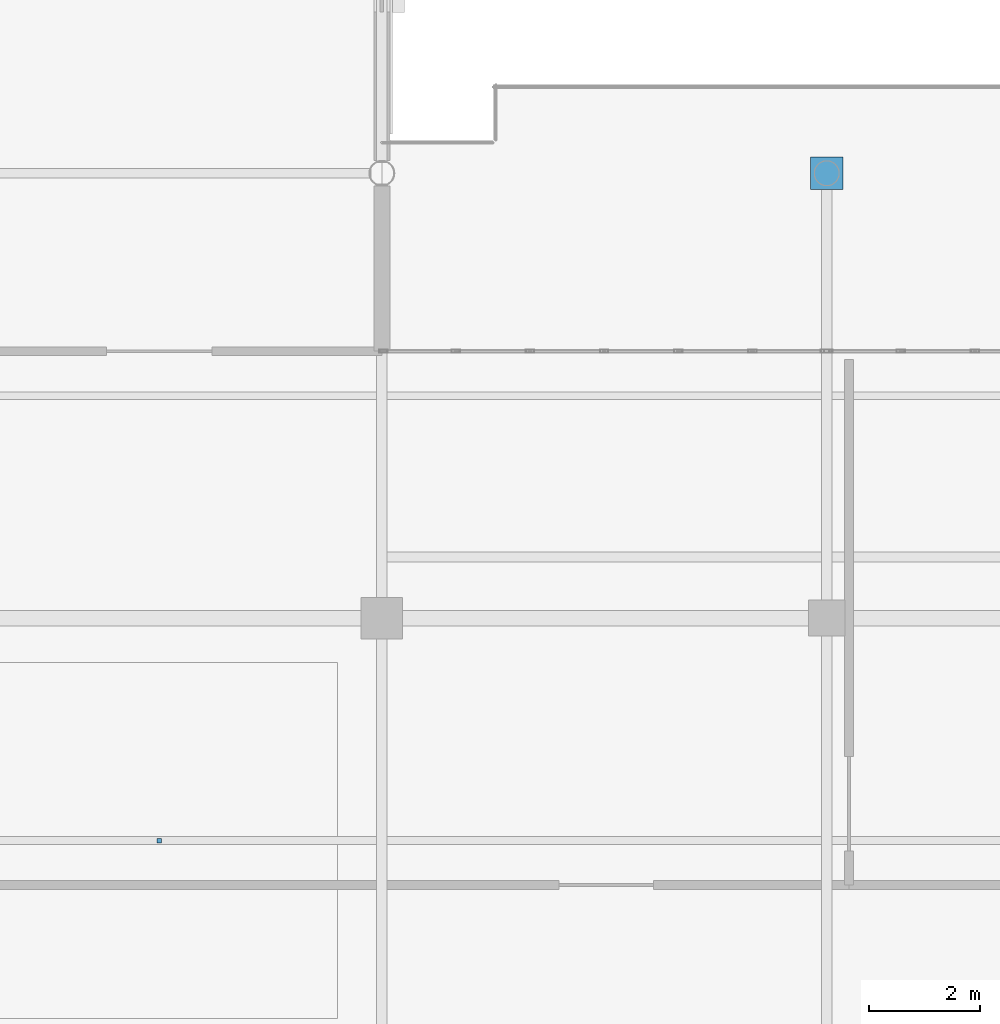
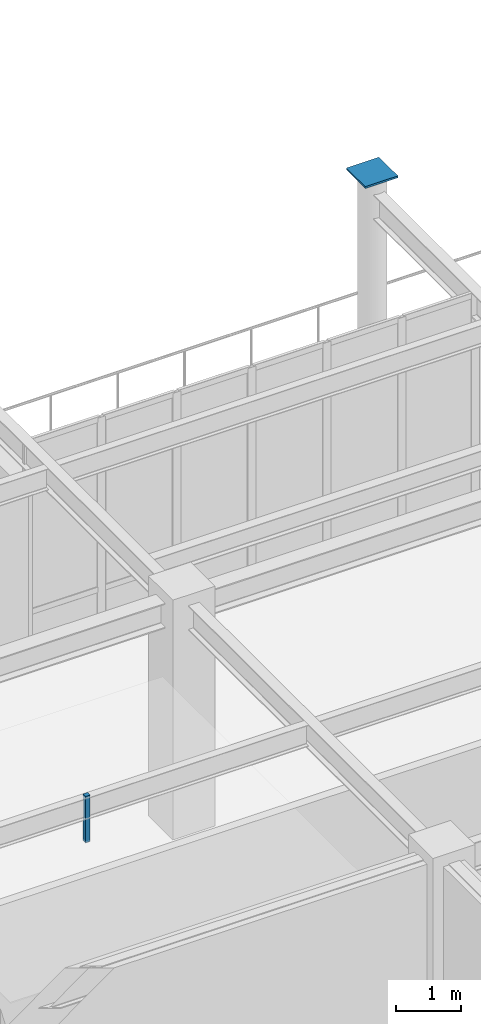
# One storey, part 62 of 75: 2 discrete accessories.
"""IFC4 building model written with IfcOpenShell, lengths in metres."""

from ifc_helpers import new_model, si_unit, direction, frame, origin, origin_2d, place, context, subcontext, project, spatial, rectangle, extrude, material, layer, layer_set, type_object, element, save


model = new_model("IFC4")

# Units and contexts
model_context = context("Model", 3, precision=1e-05, world=origin(), true_north=direction((0.0, 1.0)))
body_context = subcontext(model_context, "Body", "Model", "MODEL_VIEW")
ifc_project = project(units=[si_unit("LENGTHUNIT", "METRE"), si_unit("AREAUNIT", "SQUARE_METRE"), si_unit("VOLUMEUNIT", "CUBIC_METRE"), si_unit("PLANEANGLEUNIT", "RADIAN"), si_unit("MASSUNIT", "GRAM", prefix="KILO")], contexts=[model_context])

# Site, building, storey
site_placement = place(None, origin())
site = spatial("IfcSite", under=ifc_project, at=site_placement, CompositionType="ELEMENT")
building_placement = place(site_placement, origin())
building = spatial("IfcBuilding", under=site, at=building_placement, Name="Solmirada Galleria", CompositionType="ELEMENT")
storey_placement = place(building_placement, frame((0.0, 0.0, 19.39990234375)))
storey = spatial("IfcBuildingStorey", under=building, at=storey_placement, Name="L04", CompositionType="ELEMENT", Elevation=19.39990234375)

# Discrete accessories
ifc_material_1 = material(Name="Steel S355 / ASTM A992 Grade 50", Category="steel")
discrete_accessory_type_1 = type_object("IfcDiscreteAccessoryType", Name="ACC-CEIL-HANGER", PredefinedType="BRACKET", material=ifc_material_1)
discrete_accessory_1_placement = place(storey_placement, frame((92.0, 20.0, 3.449951171875), z_axis=(0.0, 0.0, 1.0), x_axis=(1.0, 0.0, 0.0)))
element("IfcDiscreteAccessory", 1, at=discrete_accessory_1_placement, inside=storey, type_object=discrete_accessory_type_1, Name="Ceiling suspension hanger L04-2", PredefinedType="BRACKET", context=body_context, shape_type="SweptSolid", body=[
    extrude(rectangle(XDim=0.080078125, YDim=0.080078125, at=origin_2d()), origin(), (0.0, 0.0, 1.0), 0.8701171875),
])
ifc_material_2 = material(Name="Steel S355 / ASTM A572 Grade 50", Category="steel")
ifc_layer = layer(ifc_material_2, 0.031982421875)
ifc_layer_set = layer_set([ifc_layer], Name="Steel S355 / ASTM A572 Grade 50")
discrete_accessory_type_2 = type_object("IfcDiscreteAccessoryType", Name="ACC-COL-CAP", PredefinedType="BRACKET", material=ifc_layer_set)
discrete_accessory_2_placement = place(storey_placement, frame((104.0, 32.0, 4.494140625), z_axis=(0.0, 0.0, 1.0), x_axis=(1.0, 0.0, 0.0)))
element("IfcDiscreteAccessory", 2, at=discrete_accessory_2_placement, inside=storey, type_object=discrete_accessory_type_2, Name="Hollow column cap plate L04-0728", PredefinedType="BRACKET", context=body_context, shape_type="SweptSolid", body=[
    extrude(rectangle(XDim=0.580078125, YDim=0.580078125, at=origin_2d()), origin(), (0.0, 0.0, 1.0), 0.035888671875),
])

save(model, "model.ifc")
